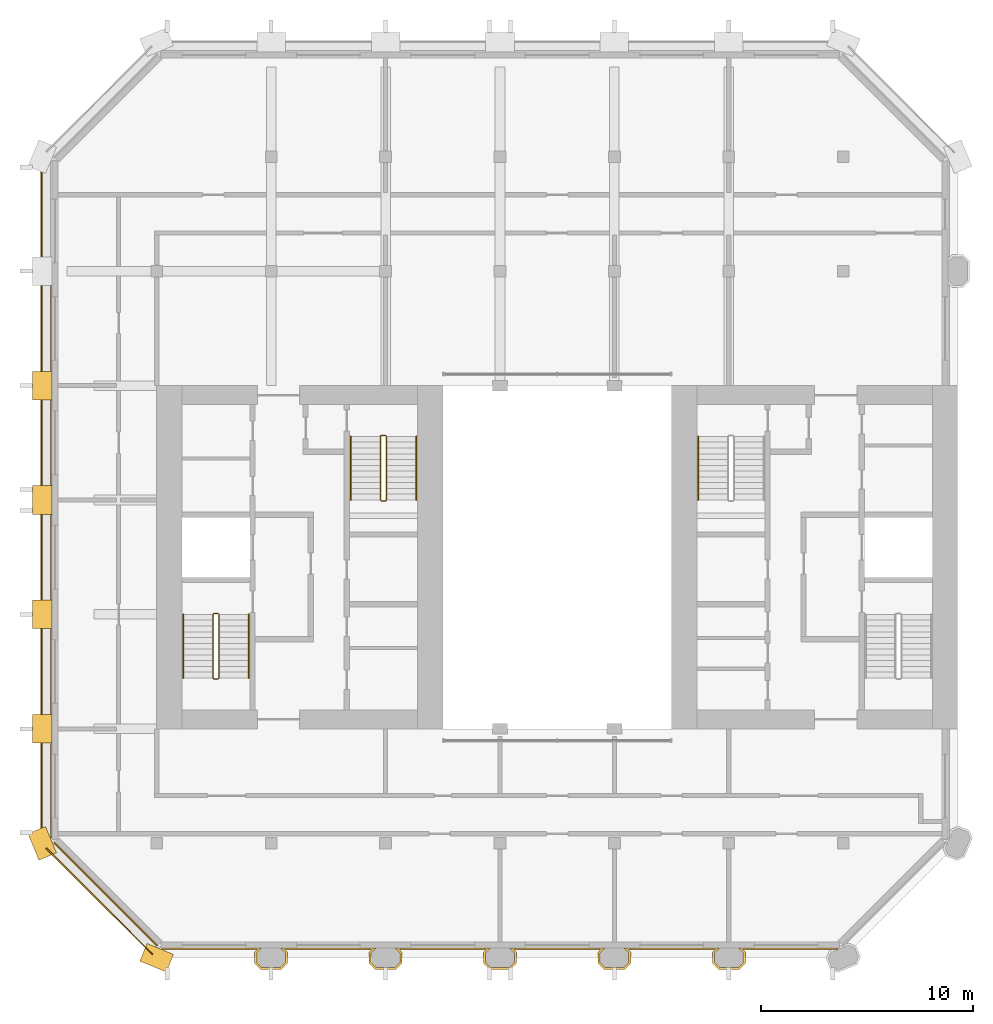
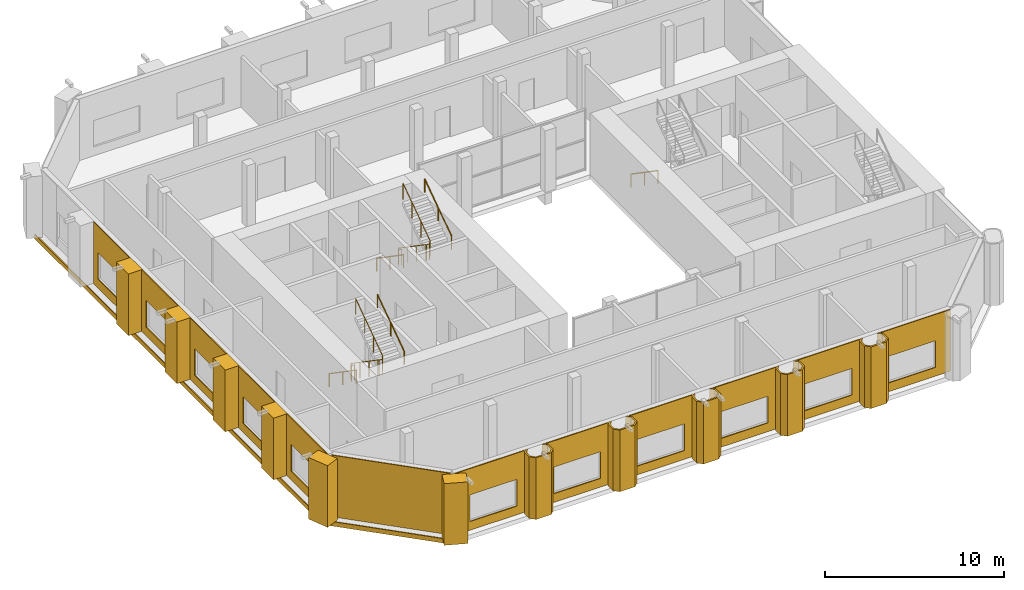
# One storey, part 11 of 12: 25 coverings, 7 railings.
"""IFC4 building model written with IfcOpenShell, lengths in metres."""

from ifc_helpers import new_model, si_unit, direction, frame, frame_2d, origin, origin_2d, place, context, subcontext, project, spatial, polyline, rectangle, circle, outline, extrude, material, layer, layer_set, type_object, element, save


model = new_model("IFC4")

# Units and contexts
model_context = context("Model", 3, precision=1e-05, world=origin(), true_north=direction((0.0, 1.0)))
body_context = subcontext(model_context, "Body", "Model", "MODEL_VIEW")
ifc_project = project(units=[si_unit("LENGTHUNIT", "METRE"), si_unit("AREAUNIT", "SQUARE_METRE"), si_unit("VOLUMEUNIT", "CUBIC_METRE"), si_unit("PLANEANGLEUNIT", "RADIAN"), si_unit("MASSUNIT", "GRAM", prefix="KILO")], contexts=[model_context])

# Site, building, storey
site_placement = place(None, origin())
site = spatial("IfcSite", under=ifc_project, at=site_placement, CompositionType="ELEMENT")
building_placement = place(site_placement, origin())
building = spatial("IfcBuilding", under=site, at=building_placement, Name="Tabaq Tower and Sports Hall", CompositionType="ELEMENT")
storey_placement = place(building_placement, frame((0.0, 0.0, 317.199951171875)))
storey = spatial("IfcBuildingStorey", under=building, at=storey_placement, Name="L79", CompositionType="ELEMENT", Elevation=317.199951171875)

# Coverings
ifc_material_1 = material(Name="Precast concrete C60/75", Category="concrete")
ifc_layer_1 = layer(ifc_material_1, 0.10009765625)
ifc_layer_set_1 = layer_set([ifc_layer_1], Name="Column cladding 100")
covering_type_1 = type_object("IfcCoveringType", Name="Column cladding 100", PredefinedType="CLADDING", material=ifc_layer_set_1)
covering_1_placement = place(storey_placement, origin())
element("IfcCovering", 1, at=covering_1_placement, inside=storey, type_object=covering_type_1, Name="Column cladding L79 PC-3B-CR", PredefinedType="CLADDING", context=body_context, shape_type="SweptSolid", body=[
    extrude(outline(polyline([(10.025390625, 5.666259765625), (10.208740234375, 5.849609375), (10.349365234375, 5.849609375), (10.124755859375, 5.625244140625), (10.124755859375, 5.1748046875), (10.349853515625, 4.94970703125), (11.250244140625, 4.94970703125), (11.475341796875, 5.1748046875), (11.475341796875, 5.625244140625), (11.250732421875, 5.849609375), (11.391357421875, 5.849609375), (11.57470703125, 5.666259765625), (11.57470703125, 5.1337890625), (11.291259765625, 4.850341796875), (10.30859375, 4.850341796875), (10.025390625, 5.1337890625), (10.025390625, 5.666259765625)])), origin(), (0.0, 0.0, 1.0), 4.199951171875),
])
covering_2_placement = place(storey_placement, origin())
element("IfcCovering", 2, at=covering_2_placement, inside=storey, type_object=covering_type_1, Name="Column cladding L79 PC-4B-CR", PredefinedType="CLADDING", context=body_context, shape_type="SweptSolid", body=[
    extrude(outline(polyline([(15.42529296875, 5.666259765625), (15.608642578125, 5.849609375), (15.749267578125, 5.849609375), (15.524658203125, 5.625244140625), (15.524658203125, 5.1748046875), (15.749755859375, 4.94970703125), (16.650146484375, 4.94970703125), (16.875244140625, 5.1748046875), (16.875244140625, 5.625244140625), (16.650634765625, 5.849609375), (16.791259765625, 5.849609375), (16.974609375, 5.666259765625), (16.974609375, 5.1337890625), (16.69140625, 4.850341796875), (15.708740234375, 4.850341796875), (15.42529296875, 5.1337890625), (15.42529296875, 5.666259765625)])), origin(), (0.0, 0.0, 1.0), 4.199951171875),
])
covering_3_placement = place(storey_placement, origin())
element("IfcCovering", 3, at=covering_3_placement, inside=storey, type_object=covering_type_1, Name="Column cladding L79 PC-5B-CR", PredefinedType="CLADDING", context=body_context, shape_type="SweptSolid", body=[
    extrude(outline(polyline([(20.8251953125, 5.666259765625), (21.0087890625, 5.849609375), (21.149169921875, 5.849609375), (20.9248046875, 5.625244140625), (20.9248046875, 5.1748046875), (21.14990234375, 4.94970703125), (22.050048828125, 4.94970703125), (22.275390625, 5.1748046875), (22.275390625, 5.625244140625), (22.05078125, 5.849609375), (22.19140625, 5.849609375), (22.374755859375, 5.666259765625), (22.374755859375, 5.1337890625), (22.09130859375, 4.850341796875), (21.108642578125, 4.850341796875), (20.8251953125, 5.1337890625), (20.8251953125, 5.666259765625)])), origin(), (0.0, 0.0, 1.0), 4.199951171875),
])
covering_4_placement = place(storey_placement, origin())
element("IfcCovering", 4, at=covering_4_placement, inside=storey, type_object=covering_type_1, Name="Column cladding L79 PC-6B-CR", PredefinedType="CLADDING", context=body_context, shape_type="SweptSolid", body=[
    extrude(outline(polyline([(26.225341796875, 5.666259765625), (26.40869140625, 5.849609375), (26.54931640625, 5.849609375), (26.32470703125, 5.625244140625), (26.32470703125, 5.1748046875), (26.5498046875, 4.94970703125), (27.4501953125, 4.94970703125), (27.67529296875, 5.1748046875), (27.67529296875, 5.625244140625), (27.45068359375, 5.849609375), (27.59130859375, 5.849609375), (27.774658203125, 5.666259765625), (27.774658203125, 5.1337890625), (27.4912109375, 4.850341796875), (26.5087890625, 4.850341796875), (26.225341796875, 5.1337890625), (26.225341796875, 5.666259765625)])), origin(), (0.0, 0.0, 1.0), 4.199951171875),
])
covering_5_placement = place(storey_placement, origin())
element("IfcCovering", 5, at=covering_5_placement, inside=storey, type_object=covering_type_1, Name="Column cladding L79 PC-7B-CR", PredefinedType="CLADDING", context=body_context, shape_type="SweptSolid", body=[
    extrude(outline(polyline([(31.625244140625, 5.666259765625), (31.80859375, 5.849609375), (31.94921875, 5.849609375), (31.724609375, 5.625244140625), (31.724609375, 5.1748046875), (31.949951171875, 4.94970703125), (32.85009765625, 4.94970703125), (33.0751953125, 5.1748046875), (33.0751953125, 5.625244140625), (32.850830078125, 5.849609375), (32.9912109375, 5.849609375), (33.1748046875, 5.666259765625), (33.1748046875, 5.1337890625), (32.891357421875, 4.850341796875), (31.90869140625, 4.850341796875), (31.625244140625, 5.1337890625), (31.625244140625, 5.666259765625)])), origin(), (0.0, 0.0, 1.0), 4.199951171875),
])
ifc_material_2 = material(Name="Precast concrete C60/75", Category="concrete")
ifc_layer_2 = layer(ifc_material_2, 0.06005859375)
ifc_layer_set_2 = layer_set([ifc_layer_2], Name="Edge beam cladding 60")
covering_type_2 = type_object("IfcCoveringType", Name="Edge beam cladding 60", PredefinedType="CLADDING", material=ifc_layer_set_2)
covering_6_placement = place(storey_placement, frame((-0.030029296875, 42.9013671875, -0.300048828125), z_axis=(0.0, 0.0, 1.0), x_axis=(0.0, -1.0, 0.0)))
element("IfcCovering", 6, at=covering_6_placement, inside=storey, type_object=covering_type_2, Name="Edge beam cladding L79 4", PredefinedType="CLADDING", context=body_context, shape_type="SweptSolid", body=[
    extrude(rectangle(XDim=31.802734375, YDim=0.06005859375, at=frame_2d((15.9013671875, 0.0))), origin(), (0.0, 0.0, 1.0), 0.300048828125),
])
covering_7_placement = place(storey_placement, frame((0.18994140625, 10.567626953125, -0.300048828125), z_axis=(0.0, 0.0, 1.0), x_axis=(0.707106781187, -0.707106781187, 0.0)))
element("IfcCovering", 7, at=covering_7_placement, inside=storey, type_object=covering_type_2, Name="Edge beam cladding L79 5", PredefinedType="CLADDING", context=body_context, shape_type="SweptSolid", body=[
    extrude(rectangle(XDim=7.087890625, YDim=0.06005859375, at=frame_2d((3.5439453125, 0.0))), origin(), (0.0, 0.0, 1.0), 0.300048828125),
])
ifc_material_3 = material(Name="White precast concrete C60/75", Category="concrete")
covering_type_3 = type_object("IfcCoveringType", Name="Pier cladding hung 1350x900", PredefinedType="CLADDING", material=ifc_material_3)
for number, where, z_axis, x_axis, name in (
    (8, (-0.25830078125, 11.423583984375, 0.0), (0.0, 0.0, 1.0), (0.382649923473, -0.923893411637, 0.0), "Hung pier cladding 0/2"),
    (9, (0.0, 16.875, 0.0), (0.0, 0.0, 1.0), (0.0, -1.0, 0.0), "Hung pier cladding 0/3"),
):
    element("IfcCovering", number, at=place(storey_placement, frame(where, z_axis=z_axis, x_axis=x_axis)), inside=storey, type_object=covering_type_3, Name=name, PredefinedType="CLADDING", context=body_context, shape_type="SweptSolid", body=[
        extrude(rectangle(XDim=1.35009765625, YDim=0.89990234375, at=frame_2d((0.675048828125, 0.0))), origin(), (0.0, 0.0, 1.0), 4.199951171875),
    ])
covering_8_placement = place(storey_placement, frame((0.0, 22.27490234375, 0.0), z_axis=(0.0, 0.0, 1.0), x_axis=(0.0, -1.0, 0.0)))
element("IfcCovering", 10, at=covering_8_placement, inside=storey, type_object=covering_type_3, Name="Hung pier cladding 0/4", PredefinedType="CLADDING", context=body_context, shape_type="SweptSolid", body=[
    extrude(rectangle(XDim=1.349853515625, YDim=0.89990234375, at=frame_2d((0.6748046875, 0.0))), origin(), (0.0, 0.0, 1.0), 4.199951171875),
])
covering_9_placement = place(storey_placement, frame((0.0, 27.675048828125, 0.0), z_axis=(0.0, 0.0, 1.0), x_axis=(0.0, -1.0, 0.0)))
element("IfcCovering", 11, at=covering_9_placement, inside=storey, type_object=covering_type_3, Name="Hung pier cladding 0/5", PredefinedType="CLADDING", context=body_context, shape_type="SweptSolid", body=[
    extrude(rectangle(XDim=1.35009765625, YDim=0.89990234375, at=frame_2d((0.675048828125, 0.0))), origin(), (0.0, 0.0, 1.0), 4.199951171875),
])
covering_10_placement = place(storey_placement, frame((0.0, 33.074951171875, 0.0), z_axis=(0.0, 0.0, 1.0), x_axis=(0.0, -1.0, 0.0)))
element("IfcCovering", 12, at=covering_10_placement, inside=storey, type_object=covering_type_3, Name="Hung pier cladding 0/6", PredefinedType="CLADDING", context=body_context, shape_type="SweptSolid", body=[
    extrude(rectangle(XDim=1.349853515625, YDim=0.89990234375, at=frame_2d((0.6748046875, 0.0))), origin(), (0.0, 0.0, 1.0), 4.199951171875),
])
covering_11_placement = place(storey_placement, frame((4.7763671875, 5.658203125, 0.0), z_axis=(0.0, 0.0, 1.0), x_axis=(0.923893411637, -0.382649923473, 0.0)))
element("IfcCovering", 13, at=covering_11_placement, inside=storey, type_object=covering_type_3, Name="Hung pier cladding 1/1", PredefinedType="CLADDING", context=body_context, shape_type="SweptSolid", body=[
    extrude(rectangle(XDim=1.35009765625, YDim=0.89990234375, at=frame_2d((0.675048828125, 0.0))), origin(), (0.0, 0.0, 1.0), 4.199951171875),
])

# Railings
ifc_material_4 = material(Name="Stainless steel", Category="steel")
railing_type_1 = type_object("IfcRailingType", Name="Stair guard", PredefinedType="GUARDRAIL", material=ifc_material_4)
railing_1_placement = place(storey_placement, frame((8.300048828125, 21.64990234375, 0.0)))
element("IfcRailing", 14, at=railing_1_placement, inside=storey, type_object=railing_type_1, Name="L79 ST1 stair guard 1", PredefinedType="GUARDRAIL", context=body_context, shape_type="SweptSolid", body=[
    extrude(circle(Radius=0.02392578125, at=origin_2d()), frame((0.0, 0.0, 1.076171875), z_axis=(-1.0, 0.0, 0.0), x_axis=(0.0, -1.0, 0.0)), (0.0, 0.0, 1.0), 0.199951171875),
    extrude(circle(Radius=0.02392578125, at=origin_2d()), frame((-0.199951171875, 0.0, 1.076171875), z_axis=(-0.249802250048, -0.248583702486, 0.935844527007), x_axis=(0.705375805398, -0.708833529934, 0.0)), (0.0, 0.0, 1.0), 0.200439453125),
    extrude(circle(Radius=0.02392578125, at=origin_2d()), frame((-0.25, -0.0498046875, 1.263671875), z_axis=(0.0, -0.824041924199, 0.566528822887), x_axis=(1.0, 0.0, 0.0)), (0.0, 0.0, 1.0), 3.640625),
    extrude(circle(Radius=0.02392578125, at=origin_2d()), frame((-0.25, -3.0498046875, 3.326171875), z_axis=(0.707106781187, -0.707106781187, 0.0), x_axis=(0.707106781187, 0.707106781187, 0.0)), (0.0, 0.0, 1.0), 0.07080078125),
    extrude(circle(Radius=0.02392578125, at=origin_2d()), frame((-0.199951171875, -3.099853515625, 3.326171875), z_axis=(1.0, 0.0, 0.0), x_axis=(0.0, 1.0, 0.0)), (0.0, 0.0, 1.0), 0.199951171875),
    extrude(circle(Radius=0.02392578125, at=origin_2d()), frame((0.0, -3.099853515625, 3.326171875), z_axis=(0.249726431254, 0.249726431254, 0.935560483917), x_axis=(-0.707106781187, 0.707106781187, 0.0)), (0.0, 0.0, 1.0), 0.200439453125),
    extrude(circle(Radius=0.02392578125, at=origin_2d()), frame((0.050048828125, -3.0498046875, 3.513671875), z_axis=(0.0, 0.824041924199, 0.566528822887), x_axis=(-1.0, 0.0, 0.0)), (0.0, 0.0, 1.0), 3.640625),
    extrude(circle(Radius=0.02099609375, at=origin_2d()), origin(), (0.0, 0.0, 1.0), 1.052001953125),
    extrude(circle(Radius=0.02099609375, at=origin_2d()), frame((-0.199951171875, 0.0, 0.0)), (0.0, 0.0, 1.0), 1.052001953125),
    extrude(circle(Radius=0.02099609375, at=origin_2d()), frame((-0.25, -0.0498046875, 0.1875)), (0.0, 0.0, 1.0), 1.052001953125),
    extrude(circle(Radius=0.02099609375, at=origin_2d()), frame((-0.25, -1.0498046875, 0.875)), (0.0, 0.0, 1.0), 1.052001953125),
    extrude(circle(Radius=0.02099609375, at=origin_2d()), frame((-0.25, -2.0498046875, 1.5625)), (0.0, 0.0, 1.0), 1.052001953125),
    extrude(circle(Radius=0.02099609375, at=origin_2d()), frame((-0.25, -3.0498046875, 2.25)), (0.0, 0.0, 1.0), 1.052001953125),
    extrude(circle(Radius=0.02099609375, at=origin_2d()), frame((-0.199951171875, -3.099853515625, 2.25)), (0.0, 0.0, 1.0), 1.052001953125),
    extrude(circle(Radius=0.02099609375, at=origin_2d()), frame((0.0, -3.099853515625, 2.25)), (0.0, 0.0, 1.0), 1.052001953125),
    extrude(circle(Radius=0.02099609375, at=origin_2d()), frame((0.050048828125, -3.0498046875, 2.4375)), (0.0, 0.0, 1.0), 1.052001953125),
    extrude(circle(Radius=0.02099609375, at=origin_2d()), frame((0.050048828125, -2.0498046875, 3.125)), (0.0, 0.0, 1.0), 1.052001953125),
    extrude(circle(Radius=0.02099609375, at=origin_2d()), frame((0.050048828125, -1.0498046875, 3.8125)), (0.0, 0.0, 1.0), 1.052001953125),
    extrude(circle(Radius=0.02099609375, at=origin_2d()), frame((0.050048828125, -0.0498046875, 4.5)), (0.0, 0.0, 1.0), 1.052001953125),
])
railing_2_placement = place(storey_placement, frame((16.199951171875, 30.050048828125, 0.0)))
element("IfcRailing", 15, at=railing_2_placement, inside=storey, type_object=railing_type_1, Name="L79 ST2 stair guard 1", PredefinedType="GUARDRAIL", context=body_context, shape_type="SweptSolid", body=[
    extrude(circle(Radius=0.02392578125, at=origin_2d()), frame((0.0, 0.0, 1.076171875), z_axis=(-1.0, 0.0, 0.0), x_axis=(0.0, -1.0, 0.0)), (0.0, 0.0, 1.0), 0.199951171875),
    extrude(circle(Radius=0.02392578125, at=origin_2d()), frame((-0.199951171875, 0.0, 1.076171875), z_axis=(-0.249726431254, -0.249726431254, 0.935560483917), x_axis=(0.707106781187, -0.707106781187, 0.0)), (0.0, 0.0, 1.0), 0.200439453125),
    extrude(circle(Radius=0.02392578125, at=origin_2d()), frame((-0.25, -0.050048828125, 1.263671875), z_axis=(0.0, -0.824041924199, 0.566528822887), x_axis=(1.0, 0.0, 0.0)), (0.0, 0.0, 1.0), 3.640625),
    extrude(circle(Radius=0.02392578125, at=origin_2d()), frame((-0.25, -3.050048828125, 3.326171875), z_axis=(0.707106781187, -0.707106781187, 0.0), x_axis=(0.707106781187, 0.707106781187, 0.0)), (0.0, 0.0, 1.0), 0.07080078125),
    extrude(circle(Radius=0.02392578125, at=origin_2d()), frame((-0.199951171875, -3.10009765625, 3.326171875), z_axis=(1.0, 0.0, 0.0), x_axis=(0.0, 1.0, 0.0)), (0.0, 0.0, 1.0), 0.199951171875),
    extrude(circle(Radius=0.02392578125, at=origin_2d()), frame((0.0, -3.10009765625, 3.326171875), z_axis=(0.249726431254, 0.249726431254, 0.935560483917), x_axis=(-0.707106781187, 0.707106781187, 0.0)), (0.0, 0.0, 1.0), 0.200439453125),
    extrude(circle(Radius=0.02392578125, at=origin_2d()), frame((0.050048828125, -3.050048828125, 3.513671875), z_axis=(0.0, 0.824041924199, 0.566528822887), x_axis=(-1.0, 0.0, 0.0)), (0.0, 0.0, 1.0), 3.640625),
    extrude(circle(Radius=0.02099609375, at=origin_2d()), origin(), (0.0, 0.0, 1.0), 1.052001953125),
    extrude(circle(Radius=0.02099609375, at=origin_2d()), frame((-0.199951171875, 0.0, 0.0)), (0.0, 0.0, 1.0), 1.052001953125),
    extrude(circle(Radius=0.02099609375, at=origin_2d()), frame((-0.25, -0.050048828125, 0.1875)), (0.0, 0.0, 1.0), 1.052001953125),
    extrude(circle(Radius=0.02099609375, at=origin_2d()), frame((-0.25, -1.050048828125, 0.875)), (0.0, 0.0, 1.0), 1.052001953125),
    extrude(circle(Radius=0.02099609375, at=origin_2d()), frame((-0.25, -2.050048828125, 1.5625)), (0.0, 0.0, 1.0), 1.052001953125),
    extrude(circle(Radius=0.02099609375, at=origin_2d()), frame((-0.25, -3.050048828125, 2.25)), (0.0, 0.0, 1.0), 1.052001953125),
    extrude(circle(Radius=0.02099609375, at=origin_2d()), frame((-0.199951171875, -3.10009765625, 2.25)), (0.0, 0.0, 1.0), 1.052001953125),
    extrude(circle(Radius=0.02099609375, at=origin_2d()), frame((0.0, -3.10009765625, 2.25)), (0.0, 0.0, 1.0), 1.052001953125),
    extrude(circle(Radius=0.02099609375, at=origin_2d()), frame((0.050048828125, -3.050048828125, 2.4375)), (0.0, 0.0, 1.0), 1.052001953125),
    extrude(circle(Radius=0.02099609375, at=origin_2d()), frame((0.050048828125, -2.050048828125, 3.125)), (0.0, 0.0, 1.0), 1.052001953125),
    extrude(circle(Radius=0.02099609375, at=origin_2d()), frame((0.050048828125, -1.050048828125, 3.8125)), (0.0, 0.0, 1.0), 1.052001953125),
    extrude(circle(Radius=0.02099609375, at=origin_2d()), frame((0.050048828125, -0.050048828125, 4.5)), (0.0, 0.0, 1.0), 1.052001953125),
])
ifc_material_5 = material(Name="Stainless steel", Category="steel")
railing_type_2 = type_object("IfcRailingType", Name="Stair handrail", PredefinedType="HANDRAIL", material=ifc_material_5)
railing_3_placement = place(storey_placement, frame((6.64990234375, 21.60009765625, 0.1875)))
element("IfcRailing", 16, at=railing_3_placement, inside=storey, type_object=railing_type_2, Name="L79 ST1 stair handrail 1", PredefinedType="HANDRAIL", context=body_context, shape_type="SweptSolid", body=[
    extrude(circle(Radius=0.02392578125, at=origin_2d()), frame((0.0, 0.0, 0.8759765625), z_axis=(0.0, -0.824041924199, 0.566528822887), x_axis=(1.0, 0.0, 0.0)), (0.0, 0.0, 1.0), 3.640625),
    extrude(circle(Radius=0.02099609375, at=origin_2d()), origin(), (0.0, 0.0, 1.0), 0.851806640625),
    extrude(circle(Radius=0.02099609375, at=origin_2d()), frame((0.0, -1.5, 1.03125)), (0.0, 0.0, 1.0), 0.851806640625),
    extrude(circle(Radius=0.02099609375, at=origin_2d()), frame((0.0, -3.0, 2.0625)), (0.0, 0.0, 1.0), 0.851806640625),
])
railing_4_placement = place(storey_placement, frame((9.75, 18.60009765625, 2.4375)))
element("IfcRailing", 17, at=railing_4_placement, inside=storey, type_object=railing_type_2, Name="L79 ST1 stair handrail 2", PredefinedType="HANDRAIL", context=body_context, shape_type="SweptSolid", body=[
    extrude(circle(Radius=0.02392578125, at=origin_2d()), frame((0.0, 0.0, 0.8759765625), z_axis=(0.0, 0.824041924199, 0.566528822887), x_axis=(-1.0, 0.0, 0.0)), (0.0, 0.0, 1.0), 3.640625),
    extrude(circle(Radius=0.02099609375, at=origin_2d()), origin(), (0.0, 0.0, 1.0), 0.851806640625),
    extrude(circle(Radius=0.02099609375, at=origin_2d()), frame((0.0, 1.5, 1.03125)), (0.0, 0.0, 1.0), 0.851806640625),
    extrude(circle(Radius=0.02099609375, at=origin_2d()), frame((0.0, 3.0, 2.0625)), (0.0, 0.0, 1.0), 0.851806640625),
])
railing_5_placement = place(storey_placement, frame((14.550048828125, 30.0, 0.1875)))
element("IfcRailing", 18, at=railing_5_placement, inside=storey, type_object=railing_type_2, Name="L79 ST2 stair handrail 1", PredefinedType="HANDRAIL", context=body_context, shape_type="SweptSolid", body=[
    extrude(circle(Radius=0.02392578125, at=origin_2d()), frame((0.0, 0.0, 0.8759765625), z_axis=(0.0, -0.824041924199, 0.566528822887), x_axis=(1.0, 0.0, 0.0)), (0.0, 0.0, 1.0), 3.640625),
    extrude(circle(Radius=0.02099609375, at=origin_2d()), origin(), (0.0, 0.0, 1.0), 0.851806640625),
    extrude(circle(Radius=0.02099609375, at=origin_2d()), frame((0.0, -1.5, 1.03125)), (0.0, 0.0, 1.0), 0.851806640625),
    extrude(circle(Radius=0.02099609375, at=origin_2d()), frame((0.0, -3.0, 2.0625)), (0.0, 0.0, 1.0), 0.851806640625),
])
railing_6_placement = place(storey_placement, frame((17.64990234375, 27.0, 2.4375)))
element("IfcRailing", 19, at=railing_6_placement, inside=storey, type_object=railing_type_2, Name="L79 ST2 stair handrail 2", PredefinedType="HANDRAIL", context=body_context, shape_type="SweptSolid", body=[
    extrude(circle(Radius=0.02392578125, at=origin_2d()), frame((0.0, 0.0, 0.8759765625), z_axis=(0.0, 0.824041924199, 0.566528822887), x_axis=(-1.0, 0.0, 0.0)), (0.0, 0.0, 1.0), 3.640625),
    extrude(circle(Radius=0.02099609375, at=origin_2d()), origin(), (0.0, 0.0, 1.0), 0.851806640625),
    extrude(circle(Radius=0.02099609375, at=origin_2d()), frame((0.0, 1.5, 1.03125)), (0.0, 0.0, 1.0), 0.851806640625),
    extrude(circle(Radius=0.02099609375, at=origin_2d()), frame((0.0, 3.0, 2.0625)), (0.0, 0.0, 1.0), 0.851806640625),
])
railing_7_placement = place(storey_placement, frame((30.949951171875, 30.0, 0.1875)))
element("IfcRailing", 20, at=railing_7_placement, inside=storey, type_object=railing_type_2, Name="L79 ST4 stair handrail 1", PredefinedType="HANDRAIL", context=body_context, shape_type="SweptSolid", body=[
    extrude(circle(Radius=0.02392578125, at=origin_2d()), frame((0.0, 0.0, 0.8759765625), z_axis=(0.0, -0.824041924199, 0.566528822887), x_axis=(1.0, 0.0, 0.0)), (0.0, 0.0, 1.0), 3.640625),
    extrude(circle(Radius=0.02099609375, at=origin_2d()), origin(), (0.0, 0.0, 1.0), 0.851806640625),
    extrude(circle(Radius=0.02099609375, at=origin_2d()), frame((0.0, -1.5, 1.03125)), (0.0, 0.0, 1.0), 0.851806640625),
    extrude(circle(Radius=0.02099609375, at=origin_2d()), frame((0.0, -3.0, 2.0625)), (0.0, 0.0, 1.0), 0.851806640625),
])

# Coverings
ifc_material_6 = material(Name="Precast concrete C60/75", Category="concrete")
ifc_layer_3 = layer(ifc_material_6, 0.06005859375)
ifc_layer_set_3 = layer_set([ifc_layer_3], Name="White precast cladding panel 60 C60/75")
covering_type_4 = type_object("IfcCoveringType", Name="White precast cladding panel 60 C60/75", PredefinedType="CLADDING", material=ifc_layer_set_3)
covering_12_placement = place(storey_placement, frame((5.64306640625, 5.820068359375, 0.0), z_axis=(0.0, 0.0, 1.0), x_axis=(1.0, 0.0, 0.0)))
element("IfcCovering", 21, at=covering_12_placement, inside=storey, type_object=covering_type_4, Name="White precast cladding panel L79 wall00", PredefinedType="CLADDING", context=body_context, shape_type="SweptSolid", body=[
    extrude(outline(polyline([(0.0, 0.0), (4.471923828125, 0.0), (4.471923828125, 4.199951171875), (4.094970703125, 4.199951171875), (3.501708984375, 4.199951171875), (2.90869140625, 4.199951171875), (2.315673828125, 4.199951171875), (1.722412109375, 4.199951171875), (1.12939453125, 4.199951171875), (0.536376953125, 4.199951171875), (0.0, 4.199951171875), (0.0, 0.0)]), holes=[polyline([(0.94677734375, 0.590087890625), (0.94677734375, 2.41015625), (3.966796875, 2.41015625), (3.966796875, 0.590087890625), (0.94677734375, 0.590087890625)])]), frame((0.0, 0.030029296875, 0.0), z_axis=(0.0, -1.0, 0.0), x_axis=(1.0, 0.0, 0.0)), (0.0, 0.0, 1.0), 0.06005859375),
])
covering_13_placement = place(storey_placement, frame((11.485107421875, 5.820068359375, 0.0), z_axis=(0.0, 0.0, 1.0), x_axis=(1.0, 0.0, 0.0)))
element("IfcCovering", 22, at=covering_13_placement, inside=storey, type_object=covering_type_4, Name="White precast cladding panel L79 wall00 2", PredefinedType="CLADDING", context=body_context, shape_type="SweptSolid", body=[
    extrude(outline(polyline([(0.0, 0.0), (4.02978515625, 0.0), (4.030029296875, 4.199951171875), (3.5908203125, 4.199951171875), (2.997802734375, 4.199951171875), (2.40478515625, 4.199951171875), (1.811767578125, 4.199951171875), (1.218505859375, 4.199951171875), (0.62548828125, 4.199951171875), (0.032470703125, 4.199951171875), (0.0, 4.199951171875), (0.0, 0.0)]), holes=[polyline([(0.5048828125, 0.590087890625), (0.5048828125, 2.41015625), (3.52490234375, 2.41015625), (3.52490234375, 0.590087890625), (0.5048828125, 0.590087890625)])]), frame((0.0, 0.030029296875, 0.0), z_axis=(0.0, -1.0, 0.0), x_axis=(1.0, 0.0, 0.0)), (0.0, 0.0, 1.0), 0.06005859375),
])
covering_14_placement = place(storey_placement, frame((16.885009765625, 5.820068359375, 0.0), z_axis=(0.0, 0.0, 1.0), x_axis=(1.0, 0.0, 0.0)))
element("IfcCovering", 23, at=covering_14_placement, inside=storey, type_object=covering_type_4, Name="White precast cladding panel L79 wall00 3", PredefinedType="CLADDING", context=body_context, shape_type="SweptSolid", body=[
    extrude(outline(polyline([(0.0, 0.0), (4.030029296875, 0.0), (4.030029296875, 4.199951171875), (3.52880859375, 4.199951171875), (2.935791015625, 4.199951171875), (2.342529296875, 4.199951171875), (1.74951171875, 4.199951171875), (1.156494140625, 4.199951171875), (0.563232421875, 4.199951171875), (0.0, 4.199951171875), (0.0, 0.0)]), holes=[polyline([(0.5048828125, 0.590087890625), (0.5048828125, 2.41015625), (3.52490234375, 2.41015625), (3.52490234375, 0.590087890625), (0.5048828125, 0.590087890625)])]), frame((0.0, 0.030029296875, 0.0), z_axis=(0.0, -1.0, 0.0), x_axis=(1.0, 0.0, 0.0)), (0.0, 0.0, 1.0), 0.06005859375),
])
covering_15_placement = place(storey_placement, frame((22.284912109375, 5.820068359375, 0.0), z_axis=(0.0, 0.0, 1.0), x_axis=(1.0, 0.0, 0.0)))
element("IfcCovering", 24, at=covering_15_placement, inside=storey, type_object=covering_type_4, Name="White precast cladding panel L79 wall00 4", PredefinedType="CLADDING", context=body_context, shape_type="SweptSolid", body=[
    extrude(outline(polyline([(0.0, 0.0), (4.030029296875, 0.0), (4.030029296875, 4.199951171875), (3.466796875, 4.199951171875), (2.87353515625, 4.199951171875), (2.280517578125, 4.199951171875), (1.6875, 4.199951171875), (1.09423828125, 4.199951171875), (0.501220703125, 4.199951171875), (0.0, 4.199951171875), (0.0, 0.0)]), holes=[polyline([(0.5048828125, 0.590087890625), (0.5048828125, 2.41015625), (3.52490234375, 2.41015625), (3.52490234375, 0.590087890625), (0.5048828125, 0.590087890625)])]), frame((0.0, 0.030029296875, 0.0), z_axis=(0.0, -1.0, 0.0), x_axis=(1.0, 0.0, 0.0)), (0.0, 0.0, 1.0), 0.06005859375),
])
covering_16_placement = place(storey_placement, frame((27.68505859375, 5.820068359375, 0.0), z_axis=(0.0, 0.0, 1.0), x_axis=(1.0, 0.0, 0.0)))
element("IfcCovering", 25, at=covering_16_placement, inside=storey, type_object=covering_type_4, Name="White precast cladding panel L79 wall00 5", PredefinedType="CLADDING", context=body_context, shape_type="SweptSolid", body=[
    extrude(outline(polyline([(0.0, 0.0), (4.030029296875, 0.0), (4.030029296875, 4.199951171875), (3.99755859375, 4.199951171875), (3.404541015625, 4.199951171875), (2.8115234375, 4.199951171875), (2.21826171875, 4.199951171875), (1.625244140625, 4.199951171875), (1.0322265625, 4.199951171875), (0.43896484375, 4.199951171875), (0.0, 4.199951171875), (0.0, 0.0)]), holes=[polyline([(0.5048828125, 0.590087890625), (0.5048828125, 2.41015625), (3.52490234375, 2.41015625), (3.52490234375, 0.590087890625), (0.5048828125, 0.590087890625)])]), frame((0.0, 0.030029296875, 0.0), z_axis=(0.0, -1.0, 0.0), x_axis=(1.0, 0.0, 0.0)), (0.0, 0.0, 1.0), 0.06005859375),
])
covering_17_placement = place(storey_placement, frame((33.0849609375, 5.820068359375, 0.0), z_axis=(0.0, 0.0, 1.0), x_axis=(1.0, 0.0, 0.0)))
element("IfcCovering", 26, at=covering_17_placement, inside=storey, type_object=covering_type_4, Name="White precast cladding panel L79 wall00 6", PredefinedType="CLADDING", context=body_context, shape_type="SweptSolid", body=[
    extrude(outline(polyline([(0.0, 0.0), (4.471923828125, 0.0), (4.471923828125, 4.199951171875), (3.935546875, 4.199951171875), (3.342529296875, 4.199951171875), (2.749267578125, 4.199951171875), (2.15625, 4.199951171875), (1.563232421875, 4.199951171875), (0.969970703125, 4.199951171875), (0.376953125, 4.199951171875), (0.0, 4.199951171875), (0.0, 0.0)]), holes=[polyline([(0.5048828125, 0.590087890625), (0.5048828125, 2.41015625), (3.52490234375, 2.41015625), (3.52490234375, 0.590087890625), (0.5048828125, 0.590087890625)])]), frame((0.0, 0.030029296875, 0.0), z_axis=(0.0, -1.0, 0.0), x_axis=(1.0, 0.0, 0.0)), (0.0, 0.0, 1.0), 0.06005859375),
])
covering_18_placement = place(storey_placement, frame((0.419921875, 37.114990234375, 0.0), z_axis=(0.0, 0.0, 1.0), x_axis=(0.0, -1.0, 0.0)))
element("IfcCovering", 27, at=covering_18_placement, inside=storey, type_object=covering_type_4, Name="White precast cladding panel L79 wall06 3", PredefinedType="CLADDING", context=body_context, shape_type="SweptSolid", body=[
    extrude(outline(polyline([(0.0, 0.0), (4.030029296875, 0.0), (4.030029296875, 4.199951171875), (3.5908203125, 4.199951171875), (2.997802734375, 4.199951171875), (2.40478515625, 4.199951171875), (1.811767578125, 4.199951171875), (1.218505859375, 4.199951171875), (0.62548828125, 4.199951171875), (0.032470703125, 4.199951171875), (0.0, 4.199951171875), (0.0, 0.0)]), holes=[polyline([(0.5048828125, 0.590087890625), (0.5048828125, 2.41015625), (3.52490234375, 2.41015625), (3.52490234375, 0.590087890625), (0.5048828125, 0.590087890625)])]), frame((0.0, 0.030029296875, 0.0), z_axis=(0.0, -1.0, 0.0), x_axis=(1.0, 0.0, 0.0)), (0.0, 0.0, 1.0), 0.06005859375),
])
covering_19_placement = place(storey_placement, frame((0.419921875, 31.715087890625, 0.0), z_axis=(0.0, 0.0, 1.0), x_axis=(0.0, -1.0, 0.0)))
element("IfcCovering", 28, at=covering_19_placement, inside=storey, type_object=covering_type_4, Name="White precast cladding panel L79 wall06 4", PredefinedType="CLADDING", context=body_context, shape_type="SweptSolid", body=[
    extrude(outline(polyline([(0.0, 0.0), (4.030029296875, 0.0), (4.030029296875, 4.199951171875), (3.52880859375, 4.199951171875), (2.935791015625, 4.199951171875), (2.342529296875, 4.199951171875), (1.74951171875, 4.199951171875), (1.156494140625, 4.199951171875), (0.563232421875, 4.199951171875), (0.0, 4.199951171875), (0.0, 0.0)]), holes=[polyline([(0.5048828125, 0.590087890625), (0.5048828125, 2.41015625), (3.52490234375, 2.41015625), (3.52490234375, 0.590087890625), (0.5048828125, 0.590087890625)])]), frame((0.0, 0.030029296875, 0.0), z_axis=(0.0, -1.0, 0.0), x_axis=(1.0, 0.0, 0.0)), (0.0, 0.0, 1.0), 0.06005859375),
])
covering_20_placement = place(storey_placement, frame((0.419921875, 26.31494140625, 0.0), z_axis=(0.0, 0.0, 1.0), x_axis=(0.0, -1.0, 0.0)))
element("IfcCovering", 29, at=covering_20_placement, inside=storey, type_object=covering_type_4, Name="White precast cladding panel L79 wall06 5", PredefinedType="CLADDING", context=body_context, shape_type="SweptSolid", body=[
    extrude(outline(polyline([(0.0, 0.0), (4.030029296875, 0.0), (4.030029296875, 4.199951171875), (3.466796875, 4.199951171875), (2.87353515625, 4.199951171875), (2.280517578125, 4.199951171875), (1.6875, 4.199951171875), (1.09423828125, 4.199951171875), (0.501220703125, 4.199951171875), (0.0, 4.199951171875), (0.0, 0.0)]), holes=[polyline([(0.5048828125, 0.590087890625), (0.5048828125, 2.41015625), (3.52490234375, 2.41015625), (3.52490234375, 0.590087890625), (0.5048828125, 0.590087890625)])]), frame((0.0, 0.030029296875, 0.0), z_axis=(0.0, -1.0, 0.0), x_axis=(1.0, 0.0, 0.0)), (0.0, 0.0, 1.0), 0.06005859375),
])
covering_21_placement = place(storey_placement, frame((0.419921875, 20.9150390625, 0.0), z_axis=(0.0, 0.0, 1.0), x_axis=(0.0, -1.0, 0.0)))
element("IfcCovering", 30, at=covering_21_placement, inside=storey, type_object=covering_type_4, Name="White precast cladding panel L79 wall06 6", PredefinedType="CLADDING", context=body_context, shape_type="SweptSolid", body=[
    extrude(outline(polyline([(0.0, 0.0), (4.030029296875, 0.0), (4.030029296875, 4.199951171875), (3.99755859375, 4.199951171875), (3.404541015625, 4.199951171875), (2.8115234375, 4.199951171875), (2.21826171875, 4.199951171875), (1.625244140625, 4.199951171875), (1.0322265625, 4.199951171875), (0.43896484375, 4.199951171875), (0.0, 4.199951171875), (0.0, 0.0)]), holes=[polyline([(0.5048828125, 0.590087890625), (0.5048828125, 2.41015625), (3.52490234375, 2.41015625), (3.52490234375, 0.590087890625), (0.5048828125, 0.590087890625)])]), frame((0.0, 0.030029296875, 0.0), z_axis=(0.0, -1.0, 0.0), x_axis=(1.0, 0.0, 0.0)), (0.0, 0.0, 1.0), 0.06005859375),
])
covering_22_placement = place(storey_placement, frame((0.419921875, 15.514892578125, 0.0), z_axis=(0.0, 0.0, 1.0), x_axis=(0.0, -1.0, 0.0)))
element("IfcCovering", 31, at=covering_22_placement, inside=storey, type_object=covering_type_4, Name="White precast cladding panel L79 wall06 7", PredefinedType="CLADDING", context=body_context, shape_type="SweptSolid", body=[
    extrude(outline(polyline([(0.0, 0.0), (4.4716796875, 0.0), (4.471923828125, 4.199951171875), (3.935546875, 4.199951171875), (3.342529296875, 4.199951171875), (2.749267578125, 4.199951171875), (2.15625, 4.199951171875), (1.563232421875, 4.199951171875), (0.969970703125, 4.199951171875), (0.376953125, 4.199951171875), (0.0, 4.199951171875), (0.0, 0.0)]), holes=[polyline([(0.5048828125, 0.590087890625), (0.5048828125, 2.41015625), (3.52490234375, 2.41015625), (3.52490234375, 0.590087890625), (0.5048828125, 0.590087890625)])]), frame((0.0, 0.030029296875, 0.0), z_axis=(0.0, -1.0, 0.0), x_axis=(1.0, 0.0, 0.0)), (0.0, 0.0, 1.0), 0.06005859375),
])
covering_23_placement = place(storey_placement, frame((0.57177734375, 10.822265625, 0.0), z_axis=(0.0, 0.0, 1.0), x_axis=(0.707106781187, -0.707106781187, 0.0)))
element("IfcCovering", 32, at=covering_23_placement, inside=storey, type_object=covering_type_4, Name="White precast cladding panel L79 wall07", PredefinedType="CLADDING", context=body_context, shape_type="SweptSolid", body=[
    extrude(outline(polyline([(0.0, 0.0), (6.85986328125, 0.0), (6.859619140625, 4.199951171875), (6.2880859375, 4.199951171875), (5.71630859375, 4.199951171875), (5.144775390625, 4.199951171875), (4.5732421875, 4.199951171875), (4.00146484375, 4.199951171875), (3.429931640625, 4.199951171875), (2.858154296875, 4.199951171875), (2.28662109375, 4.199951171875), (1.71484375, 4.199951171875), (1.143310546875, 4.199951171875), (0.571533203125, 4.199951171875), (0.0, 4.199951171875), (0.0, 0.0)])), frame((0.0, 0.030029296875, 0.0), z_axis=(0.0, -1.0, 0.0), x_axis=(1.0, 0.0, 0.0)), (0.0, 0.0, 1.0), 0.06005859375),
])

save(model, "model.ifc")
